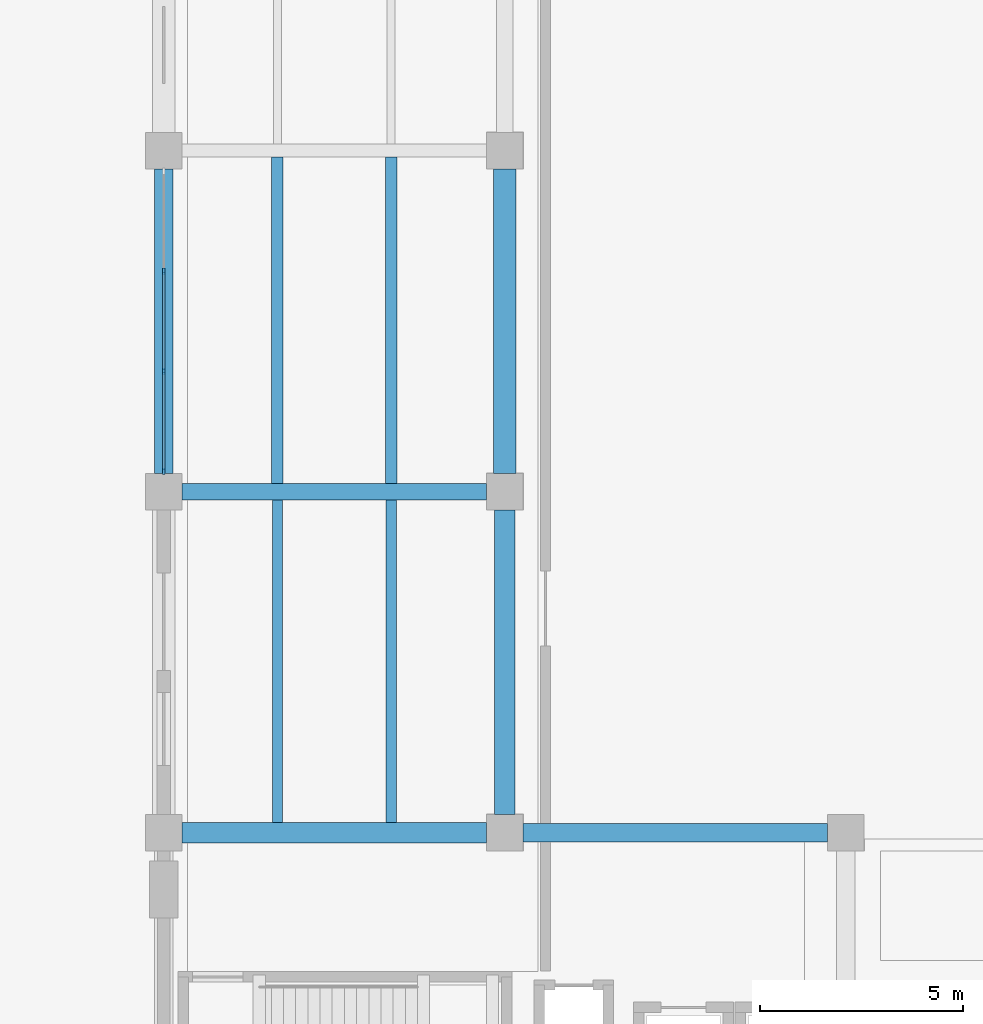
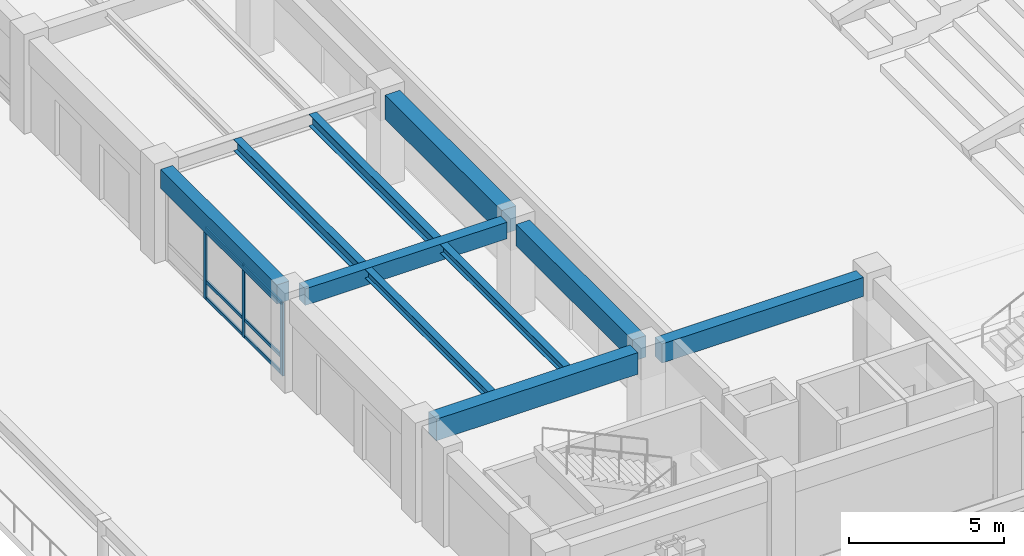
# One storey, part 24 of 135: 10 beams, 9 members, 1 element without a shape of its own.
"""IFC4 building model written with IfcOpenShell, lengths in metres."""

from ifc_helpers import new_model, si_unit, direction, frame, origin, origin_2d, place, context, subcontext, project, spatial, rectangle, i_section, extrude, material, material_profile, profile_set, type_object, element, aggregate, save


model = new_model("IFC4")

# Units and contexts
model_context = context("Model", 3, precision=1e-05, world=origin(), true_north=direction((0.0, 1.0)))
body_context = subcontext(model_context, "Body", "Model", "MODEL_VIEW")
ifc_project = project(units=[si_unit("LENGTHUNIT", "METRE"), si_unit("AREAUNIT", "SQUARE_METRE"), si_unit("VOLUMEUNIT", "CUBIC_METRE"), si_unit("PLANEANGLEUNIT", "RADIAN"), si_unit("MASSUNIT", "GRAM", prefix="KILO")], contexts=[model_context])

# Site, building, storey
site_placement = place(None, origin())
site = spatial("IfcSite", under=ifc_project, at=site_placement, CompositionType="ELEMENT")
building_placement = place(site_placement, origin())
building = spatial("IfcBuilding", under=site, at=building_placement, Name="Cumbredor Promenade Congress Hotel", CompositionType="ELEMENT")
storey_placement = place(building_placement, origin())
storey = spatial("IfcBuildingStorey", under=building, at=storey_placement, Name="L00", CompositionType="ELEMENT", Elevation=0.0)

# Beams
ifc_material_1 = material(Name="Concrete C40/50", Category="concrete")
ifc_material_profile_1 = material_profile(ifc_material_1, rectangle(XDim=0.39990234375, YDim=0.64990234375, at=origin_2d()), Name="RC BEAM 400x650")
ifc_profile_set_1 = profile_set([ifc_material_profile_1], Name="Concrete C40/50")
beam_type_1 = type_object("IfcBeamType", Name="BM-RC-400x650", PredefinedType="BEAM", material=ifc_profile_set_1)
beam_1_placement = place(storey_placement, frame((8.85009765625, 25.199951171875, 3.31494140625), z_axis=(1.0, 0.0, 0.0), x_axis=(0.0, 1.0, 0.0)))
element("IfcBeam", 1, at=beam_1_placement, inside=storey, type_object=beam_type_1, Name="L01 X-Grid Beam 014", PredefinedType="BEAM", context=body_context, shape_type="SweptSolid", body=[
    extrude(rectangle(XDim=0.39990234375, YDim=0.64990234375, at=origin_2d()), origin(), (0.0, 0.0, 1.0), 7.5),
])
ifc_material_profile_2 = material_profile(ifc_material_1, rectangle(XDim=0.449951171875, YDim=0.75, at=origin_2d()), Name="RC BEAM 450x750")
ifc_profile_set_2 = profile_set([ifc_material_profile_2], Name="Concrete C40/50")
beam_type_2 = type_object("IfcBeamType", Name="BM-RC-450x750", PredefinedType="BEAM", material=ifc_profile_set_2)
for number, where, z_axis, x_axis, name in (
    (2, (8.39990234375, 25.64990234375, 3.264892578125), (0.0, 1.0, 0.0), (-1.0, 0.0, 0.0), "L01 Y-Grid Beam 015"),
    (3, (17.25, 16.800048828125, 3.264892578125), (1.0, 0.0, 0.0), (0.0, 1.0, 0.0), "L01 X-Grid Beam 035"),
):
    element("IfcBeam", number, at=place(storey_placement, frame(where, z_axis=z_axis, x_axis=x_axis)), inside=storey, type_object=beam_type_2, Name=name, PredefinedType="BEAM", context=body_context, shape_type="SweptSolid", body=[
        extrude(rectangle(XDim=0.449951171875, YDim=0.75, at=origin_2d()), origin(), (0.0, 0.0, 1.0), 7.5),
    ])
ifc_material_profile_3 = material_profile(ifc_material_1, rectangle(XDim=0.5, YDim=0.85009765625, at=origin_2d()), Name="RC BEAM 500x850")
ifc_profile_set_3 = profile_set([ifc_material_profile_3], Name="Concrete C40/50")
beam_type_3 = type_object("IfcBeamType", Name="BM-RC-500x850", PredefinedType="BEAM", material=ifc_profile_set_3)
for number, where, z_axis, x_axis, name in (
    (4, (8.85009765625, 16.800048828125, 3.215087890625), (1.0, 0.0, 0.0), (0.0, 1.0, 0.0), "L01 X-Grid Beam 012"),
    (5, (16.800048828125, 17.25, 3.215087890625), (0.0, 1.0, 0.0), (-1.0, 0.0, 0.0), "L01 Y-Grid Beam 036"),
):
    element("IfcBeam", number, at=place(storey_placement, frame(where, z_axis=z_axis, x_axis=x_axis)), inside=storey, type_object=beam_type_3, Name=name, PredefinedType="BEAM", context=body_context, shape_type="SweptSolid", body=[
        extrude(rectangle(XDim=0.5, YDim=0.85009765625, at=origin_2d()), origin(), (0.0, 0.0, 1.0), 7.5),
    ])
ifc_material_profile_4 = material_profile(ifc_material_1, rectangle(XDim=0.550048828125, YDim=0.949951171875, at=origin_2d()), Name="RC BEAM 550x950")
ifc_profile_set_4 = profile_set([ifc_material_profile_4], Name="Concrete C40/50")
beam_type_4 = type_object("IfcBeamType", Name="BM-RC-550x950", PredefinedType="BEAM", material=ifc_profile_set_4)
beam_2_placement = place(storey_placement, frame((16.800048828125, 25.64990234375, 3.1650390625), z_axis=(0.0, 1.0, 0.0), x_axis=(-1.0, 0.0, 0.0)))
element("IfcBeam", 6, at=beam_2_placement, inside=storey, type_object=beam_type_4, Name="L01 Y-Grid Beam 037", PredefinedType="BEAM", context=body_context, shape_type="SweptSolid", body=[
    extrude(rectangle(XDim=0.550048828125, YDim=0.949951171875, at=origin_2d()), origin(), (0.0, 0.0, 1.0), 7.5),
])

# Curtain wall, members
ifc_material_2 = material(Name="Thermally broken anodized aluminium and low-E glass", Category="aluminium")
curtain_wall_type = type_object("IfcCurtainWallType", Name="Unitised Grand Foyer Curtain Wall CW-04", PredefinedType="NOTDEFINED", material=ifc_material_2)
curtain_wall_placement = place(storey_placement, origin())
curtain_wall = element("IfcCurtainWall", 7, at=curtain_wall_placement, inside=storey, type_object=curtain_wall_type, Name="L00 Plenary Congress Hall West Curtain Wall 3", PredefinedType="NOTDEFINED")
ifc_material_3 = material(Name="Thermally broken anodized aluminium", Category="aluminium")
ifc_material_profile_5 = material_profile(ifc_material_3, rectangle(XDim=0.06494140625, YDim=0.159912109375, at=origin_2d()), Name="ALU MULLION 65x160")
ifc_profile_set_5 = profile_set([ifc_material_profile_5], Name="Thermally broken anodized aluminium")
member_type_1 = type_object("IfcMemberType", Name="Curtain Wall Mullion ML-01", PredefinedType="MULLION", material=ifc_profile_set_5)
member_1_placement = place(storey_placement, frame((8.39990234375, 25.705078125, -0.008056640625), z_axis=(0.0, 0.0, 1.0), x_axis=(1.0, 0.0, 0.0)))
member_1 = element("IfcMember", 8, at=member_1_placement, type_object=member_type_1, Name="L00 Plenary Congress Hall West Curtain Wall 3 Mullion 1", PredefinedType="MULLION", context=body_context, shape_type="SweptSolid", body=[
    extrude(rectangle(XDim=0.06494140625, YDim=0.159912109375, at=origin_2d()), origin(), (0.0, 0.0, 1.0), 2.89111328125),
])
member_2_placement = place(storey_placement, frame((8.39990234375, 28.168212890625, -0.008056640625), z_axis=(0.0, 0.0, 1.0), x_axis=(1.0, 0.0, 0.0)))
member_2 = element("IfcMember", 9, at=member_2_placement, type_object=member_type_1, Name="L00 Plenary Congress Hall West Curtain Wall 3 Mullion 2", PredefinedType="MULLION", context=body_context, shape_type="SweptSolid", body=[
    extrude(rectangle(XDim=0.06494140625, YDim=0.159912109375, at=origin_2d()), origin(), (0.0, 0.0, 1.0), 2.89111328125),
])
member_3_placement = place(storey_placement, frame((8.39990234375, 30.631591796875, -0.008056640625), z_axis=(0.0, 0.0, 1.0), x_axis=(1.0, 0.0, 0.0)))
member_3 = element("IfcMember", 10, at=member_3_placement, type_object=member_type_1, Name="L00 Plenary Congress Hall West Curtain Wall 3 Mullion 3", PredefinedType="MULLION", context=body_context, shape_type="SweptSolid", body=[
    extrude(rectangle(XDim=0.06494140625, YDim=0.159912109375, at=origin_2d()), origin(), (0.0, 0.0, 1.0), 2.89111328125),
])
ifc_material_profile_6 = material_profile(ifc_material_3, rectangle(XDim=0.06494140625, YDim=0.1298828125, at=origin_2d()), Name="ALU TRANSOM 65x130")
ifc_profile_set_6 = profile_set([ifc_material_profile_6], Name="Thermally broken anodized aluminium")
member_type_2 = type_object("IfcMemberType", Name="Curtain Wall Transom TR-01", PredefinedType="USERDEFINED", material=ifc_profile_set_6)
member_4_placement = place(storey_placement, frame((8.39990234375, 25.737548828125, 0.070068359375), z_axis=(0.0, 1.0, 0.0), x_axis=(-1.0, 0.0, 0.0)))
member_4 = element("IfcMember", 11, at=member_4_placement, type_object=member_type_2, Name="L00 Plenary Congress Hall West Curtain Wall 3 Transom 1.1", ObjectType="TRANSOM", PredefinedType="USERDEFINED", context=body_context, shape_type="SweptSolid", body=[
    extrude(rectangle(XDim=0.06494140625, YDim=0.1298828125, at=origin_2d()), origin(), (0.0, 0.0, 1.0), 2.398193359375),
])
member_5_placement = place(storey_placement, frame((8.39990234375, 25.737548828125, 0.719970703125), z_axis=(0.0, 1.0, 0.0), x_axis=(-1.0, 0.0, 0.0)))
member_5 = element("IfcMember", 12, at=member_5_placement, type_object=member_type_2, Name="L00 Plenary Congress Hall West Curtain Wall 3 Transom 1.2", ObjectType="TRANSOM", PredefinedType="USERDEFINED", context=body_context, shape_type="SweptSolid", body=[
    extrude(rectangle(XDim=0.06494140625, YDim=0.1298828125, at=origin_2d()), origin(), (0.0, 0.0, 1.0), 2.398193359375),
])
member_6_placement = place(storey_placement, frame((8.39990234375, 25.737548828125, 2.81005859375), z_axis=(0.0, 1.0, 0.0), x_axis=(-1.0, 0.0, 0.0)))
member_6 = element("IfcMember", 13, at=member_6_placement, type_object=member_type_2, Name="L00 Plenary Congress Hall West Curtain Wall 3 Transom 1.3", ObjectType="TRANSOM", PredefinedType="USERDEFINED", context=body_context, shape_type="SweptSolid", body=[
    extrude(rectangle(XDim=0.06494140625, YDim=0.1298828125, at=origin_2d()), origin(), (0.0, 0.0, 1.0), 2.398193359375),
])
member_7_placement = place(storey_placement, frame((8.39990234375, 28.20068359375, 0.070068359375), z_axis=(0.0, 1.0, 0.0), x_axis=(-1.0, 0.0, 0.0)))
member_7 = element("IfcMember", 14, at=member_7_placement, type_object=member_type_2, Name="L00 Plenary Congress Hall West Curtain Wall 3 Transom 2.1", ObjectType="TRANSOM", PredefinedType="USERDEFINED", context=body_context, shape_type="SweptSolid", body=[
    extrude(rectangle(XDim=0.06494140625, YDim=0.1298828125, at=origin_2d()), origin(), (0.0, 0.0, 1.0), 2.3984375),
])
member_8_placement = place(storey_placement, frame((8.39990234375, 28.20068359375, 0.719970703125), z_axis=(0.0, 1.0, 0.0), x_axis=(-1.0, 0.0, 0.0)))
member_8 = element("IfcMember", 15, at=member_8_placement, type_object=member_type_2, Name="L00 Plenary Congress Hall West Curtain Wall 3 Transom 2.2", ObjectType="TRANSOM", PredefinedType="USERDEFINED", context=body_context, shape_type="SweptSolid", body=[
    extrude(rectangle(XDim=0.06494140625, YDim=0.1298828125, at=origin_2d()), origin(), (0.0, 0.0, 1.0), 2.3984375),
])
member_9_placement = place(storey_placement, frame((8.39990234375, 28.20068359375, 2.81005859375), z_axis=(0.0, 1.0, 0.0), x_axis=(-1.0, 0.0, 0.0)))
member_9 = element("IfcMember", 16, at=member_9_placement, type_object=member_type_2, Name="L00 Plenary Congress Hall West Curtain Wall 3 Transom 2.3", ObjectType="TRANSOM", PredefinedType="USERDEFINED", context=body_context, shape_type="SweptSolid", body=[
    extrude(rectangle(XDim=0.06494140625, YDim=0.1298828125, at=origin_2d()), origin(), (0.0, 0.0, 1.0), 2.3984375),
])
aggregate(curtain_wall, [member_1, member_2, member_3, member_4, member_5, member_6, member_7, member_8, member_9])

# Beams
ifc_material_4 = material(Name="Steel ASTM A992 Grade 50", Category="steel")
ifc_material_profile_7 = material_profile(ifc_material_4, i_section(OverallWidth=0.2548828125, OverallDepth=0.35693359375, WebThickness=0.010498046875, FlangeThickness=0.018310546875, at=origin_2d()), Name="W14X68")
ifc_profile_set_7 = profile_set([ifc_material_profile_7], Name="Steel ASTM A992 Grade 50")
beam_type_5 = type_object("IfcBeamType", Name="JST-W14X68", PredefinedType="JOIST", material=ifc_profile_set_7)
for number, where, z_axis, x_axis, name in (
    (17, (11.199951171875, 17.050048828125, 3.46142578125), (0.0, 1.0, 0.0), (-1.0, 0.0, 0.0), "L01 Secondary Floor Joist 0009"),
    (18, (14.0, 17.050048828125, 3.46142578125), (0.0, 1.0, 0.0), (-1.0, 0.0, 0.0), "L01 Secondary Floor Joist 0010"),
):
    element("IfcBeam", number, at=place(storey_placement, frame(where, z_axis=z_axis, x_axis=x_axis)), inside=storey, type_object=beam_type_5, Name=name, PredefinedType="JOIST", context=body_context, shape_type="SweptSolid", body=[
        extrude(i_section(OverallWidth=0.2548828125, OverallDepth=0.35693359375, WebThickness=0.010498046875, FlangeThickness=0.018310546875, at=origin_2d()), origin(), (0.0, 0.0, 1.0), 7.949951171875),
    ])
ifc_material_profile_8 = material_profile(ifc_material_4, i_section(OverallWidth=0.280029296875, OverallDepth=0.462890625, WebThickness=0.0107421875, FlangeThickness=0.017333984375, at=origin_2d()), Name="W18X76")
ifc_profile_set_8 = profile_set([ifc_material_profile_8], Name="Steel ASTM A992 Grade 50")
beam_type_6 = type_object("IfcBeamType", Name="JST-W18X76", PredefinedType="JOIST", material=ifc_profile_set_8)
for number, where, z_axis, x_axis, name in (
    (19, (11.199951171875, 25.39990234375, 3.408447265625), (0.0, 1.0, 0.0), (-1.0, 0.0, 0.0), "L01 Secondary Floor Joist 0011"),
    (20, (14.0, 25.39990234375, 3.408447265625), (0.0, 1.0, 0.0), (-1.0, 0.0, 0.0), "L01 Secondary Floor Joist 0012"),
):
    element("IfcBeam", number, at=place(storey_placement, frame(where, z_axis=z_axis, x_axis=x_axis)), inside=storey, type_object=beam_type_6, Name=name, PredefinedType="JOIST", context=body_context, shape_type="SweptSolid", body=[
        extrude(i_section(OverallWidth=0.280029296875, OverallDepth=0.462890625, WebThickness=0.0107421875, FlangeThickness=0.017333984375, at=origin_2d()), origin(), (0.0, 0.0, 1.0), 8.0380859375),
    ])

save(model, "model.ifc")
